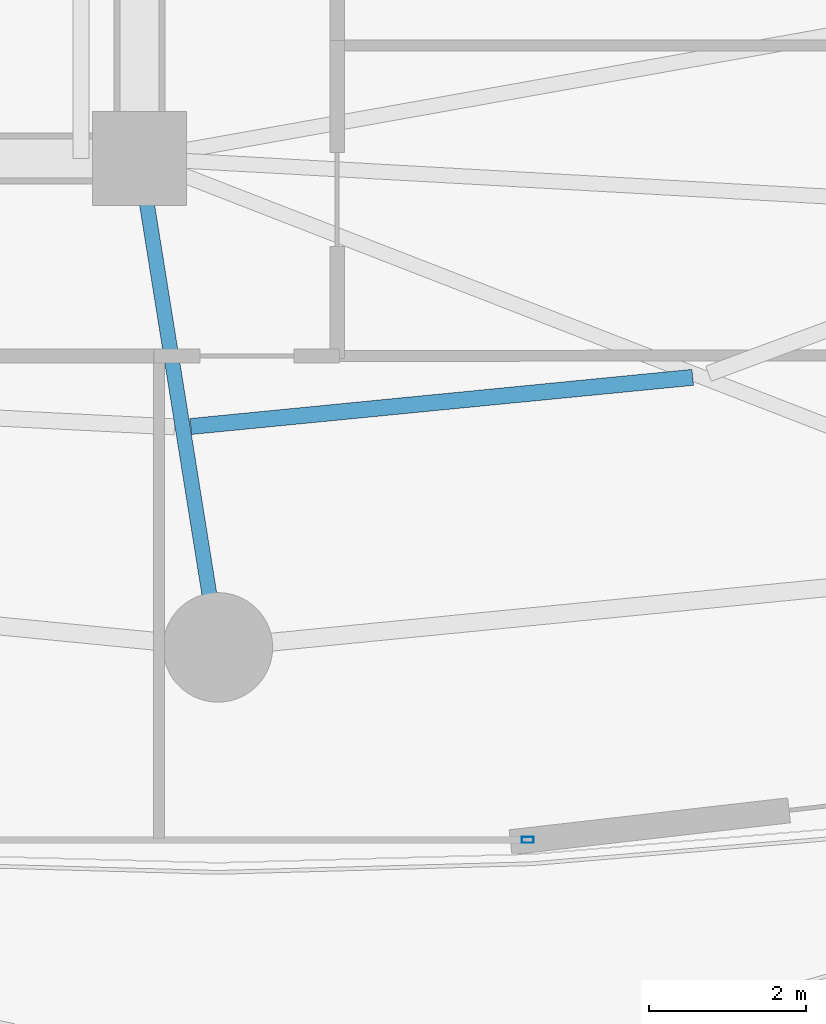
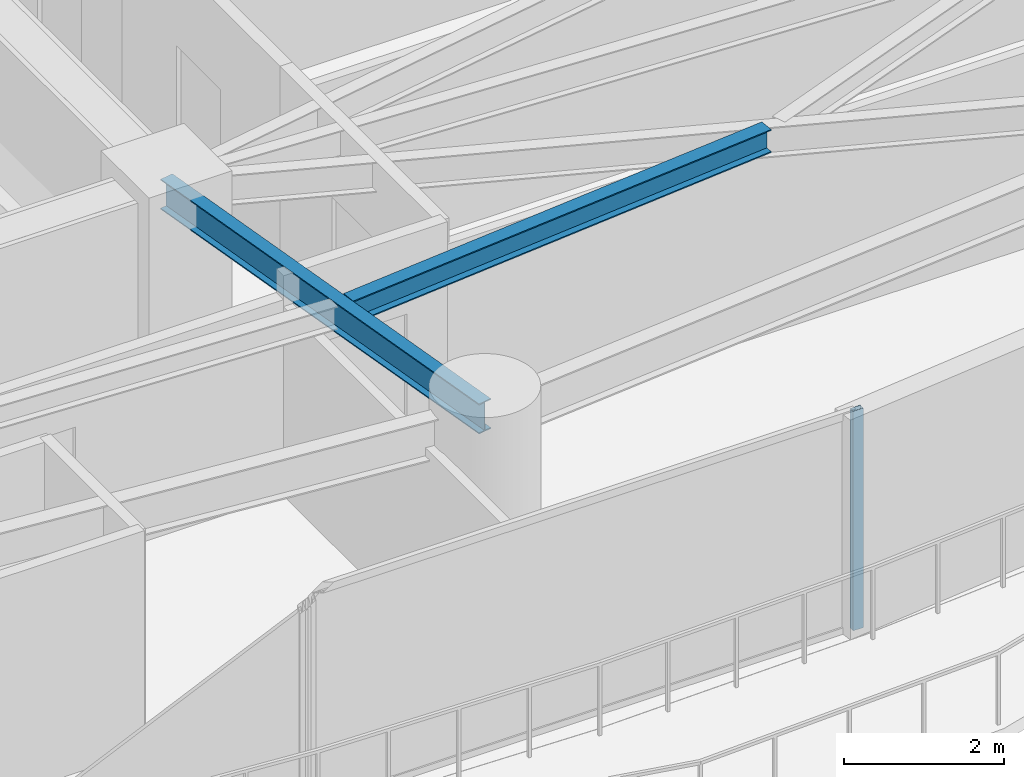
# One storey, part 10 of 33: 2 beams, 1 member, 1 element without a shape of its own.
"""IFC4 building model written with IfcOpenShell, lengths in metres."""

from ifc_helpers import new_model, si_unit, direction, frame, origin, origin_2d, place, context, subcontext, project, spatial, hollow_rectangle, i_section, extrude, material, layer, layer_set, material_profile, profile_set, type_object, element, aggregate, save


model = new_model("IFC4")

# Units and contexts
model_context = context("Model", 3, precision=1e-05, world=origin(), true_north=direction((0.0, 1.0)))
body_context = subcontext(model_context, "Body", "Model", "MODEL_VIEW")
ifc_project = project(units=[si_unit("LENGTHUNIT", "METRE"), si_unit("AREAUNIT", "SQUARE_METRE"), si_unit("VOLUMEUNIT", "CUBIC_METRE"), si_unit("PLANEANGLEUNIT", "RADIAN"), si_unit("MASSUNIT", "GRAM", prefix="KILO")], contexts=[model_context])

# Site, building, storey
site_placement = place(None, origin())
site = spatial("IfcSite", under=ifc_project, at=site_placement, CompositionType="ELEMENT")
building_placement = place(site_placement, origin())
building = spatial("IfcBuilding", under=site, at=building_placement, Name="Kazevale Care Tower and Concert Hall", CompositionType="ELEMENT")
storey_placement = place(building_placement, frame((0.0, 0.0, 52.800048828125)))
storey = spatial("IfcBuildingStorey", under=building, at=storey_placement, Name="L13", CompositionType="ELEMENT", Elevation=52.800048828125)

# Curtain wall, member
ifc_material_1 = material(Name="Aluminium 6063-T6 and Low-E Glass", Category="aluminium")
ifc_layer = layer(ifc_material_1, 0.179931640625)
ifc_layer_set = layer_set([ifc_layer], Name="Aluminium 6063-T6 and Low-E Glass")
curtain_wall_type = type_object("IfcCurtainWallType", Name="Sheltered Concave Balcony Curtain Wall CW-5", PredefinedType="NOTDEFINED", material=ifc_layer_set)
curtain_wall_placement = place(storey_placement, origin())
curtain_wall = element("IfcCurtainWall", 1, at=curtain_wall_placement, inside=storey, type_object=curtain_wall_type, Name="cw:L13:f06", PredefinedType="NOTDEFINED")
ifc_material_2 = material(Name="Aluminium 6063-T6", Category="aluminium")
ifc_material_profile_1 = material_profile(ifc_material_2, hollow_rectangle(XDim=0.074951171875, YDim=0.14990234375, WallThickness=0.00390625, at=origin_2d()), Name="ALU75x150x4")
ifc_profile_set_1 = profile_set([ifc_material_profile_1], Name="Aluminium 6063-T6")
member_type = type_object("IfcMemberType", Name="CW-5 Mullion ALU75x150x4", PredefinedType="MULLION", material=ifc_profile_set_1)
member_placement = place(storey_placement, frame((48.96044921875, 14.889892578125, 0.0), z_axis=(0.0, 0.0, 1.0), x_axis=(0.0, -1.0, 0.0)))
member = element("IfcMember", 2, at=member_placement, type_object=member_type, Name="CW-5 mullion 1", PredefinedType="MULLION", context=body_context, shape_type="SweptSolid", body=[
    extrude(hollow_rectangle(XDim=0.074951171875, YDim=0.14990234375, WallThickness=0.00390625, at=origin_2d()), origin(), (0.0, 0.0, 1.0), 3.35986328125),
])
aggregate(curtain_wall, [member])

# Beams
ifc_material_3 = material(Name="Steel ASTM A572 Gr 50", Category="steel")
ifc_material_profile_2 = material_profile(ifc_material_3, i_section(OverallWidth=0.19091796875, OverallDepth=0.4599609375, WebThickness=0.010009765625, FlangeThickness=0.01611328125, at=origin_2d()), Name="W460x82")
ifc_profile_set_2 = profile_set([ifc_material_profile_2], Name="Steel ASTM A572 Gr 50")
beam_type_1 = type_object("IfcBeamType", Name="Radial Floor Beam W460x82", PredefinedType="BEAM", material=ifc_profile_set_2)
beam_1_placement = place(storey_placement, frame((44.0, 23.60009765625, 3.1298828125), z_axis=(0.157990501107, -0.987440631917, 0.0), x_axis=(0.987440631917, 0.157990501107, 0.0)))
element("IfcBeam", 3, at=beam_1_placement, inside=storey, type_object=beam_type_1, Name="beam:L13:rad:13", PredefinedType="BEAM", context=body_context, shape_type="SweptSolid", body=[
    extrude(i_section(OverallWidth=0.19091796875, OverallDepth=0.4599609375, WebThickness=0.010009765625, FlangeThickness=0.01611328125, at=origin_2d()), origin(), (0.0, 0.0, 1.0), 6.32958984375),
])
ifc_material_profile_3 = material_profile(ifc_material_3, i_section(OverallWidth=0.205078125, OverallDepth=0.35400390625, WebThickness=0.009521484375, FlangeThickness=0.016845703125, at=origin_2d()), Name="W360x79")
ifc_profile_set_3 = profile_set([ifc_material_profile_3], Name="Steel ASTM A572 Gr 50")
beam_type_2 = type_object("IfcBeamType", Name="Secondary Floor Joist W360x79", PredefinedType="JOIST", material=ifc_profile_set_3)
beam_2_placement = place(storey_placement, frame((44.654052734375, 20.173095703125, 3.182861328125), z_axis=(0.995242075791, 0.097433108212, 0.0), x_axis=(-0.097433108212, 0.995242075791, 0.0)))
element("IfcBeam", 4, at=beam_2_placement, inside=storey, type_object=beam_type_2, Name="beam:L13:joist:13", PredefinedType="JOIST", context=body_context, shape_type="SweptSolid", body=[
    extrude(i_section(OverallWidth=0.205078125, OverallDepth=0.35400390625, WebThickness=0.009521484375, FlangeThickness=0.016845703125, at=origin_2d()), origin(), (0.0, 0.0, 1.0), 6.44482421875),
])

save(model, "model.ifc")
